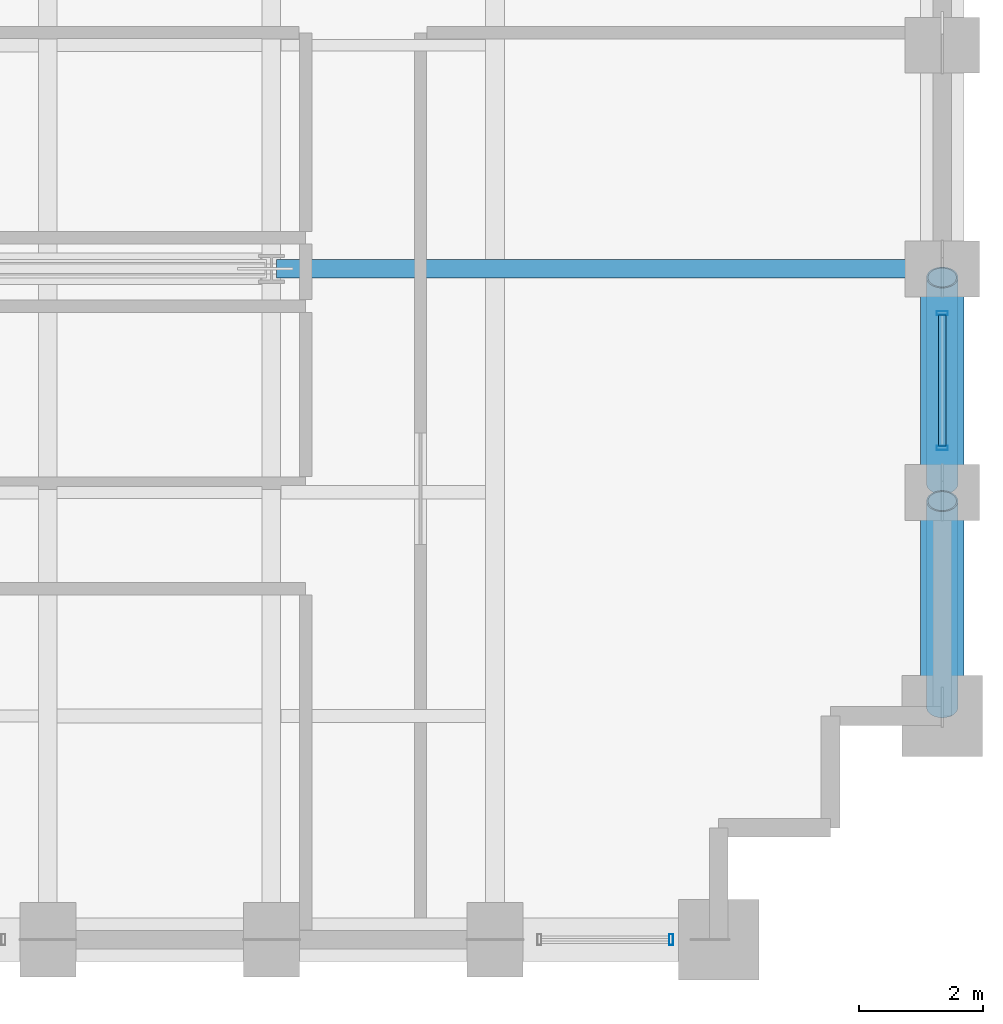
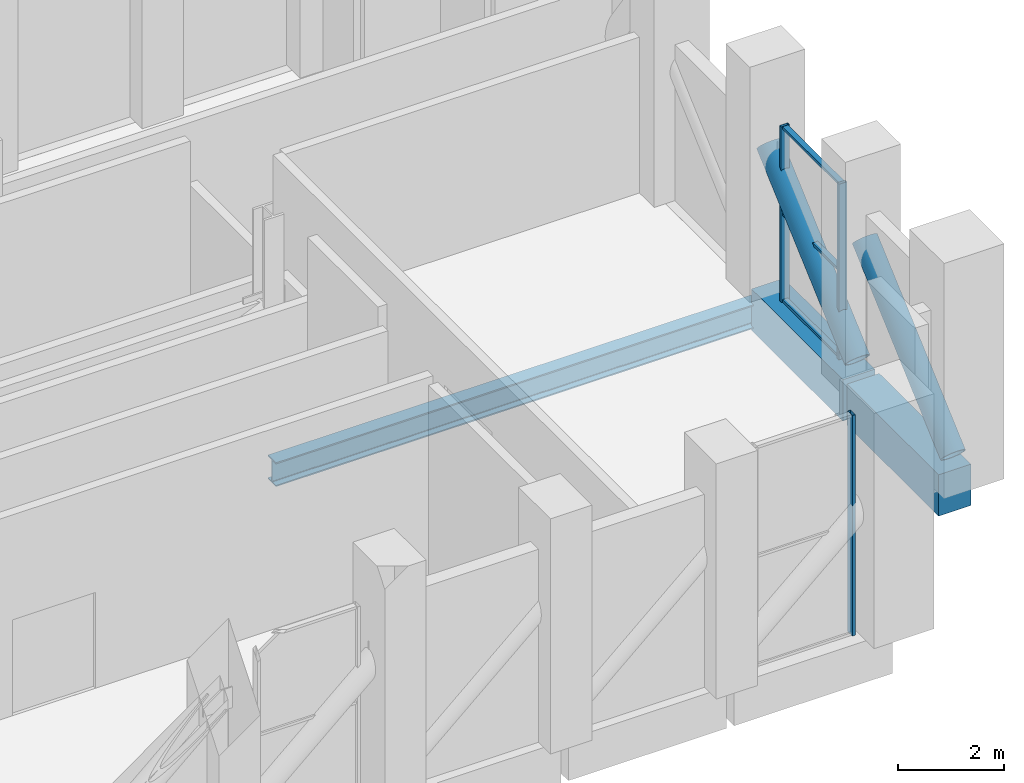
# One storey, part 13 of 27: 8 members, 3 beams, 2 elements without a shape of their own.
"""IFC4 building model written with IfcOpenShell, lengths in metres."""

from ifc_helpers import new_model, si_unit, direction, frame, origin, origin_2d, place, context, subcontext, project, spatial, rectangle, hollow_rectangle, hollow_circle, i_section, extrude, material, layer, layer_set, material_profile, profile_set, type_object, element, aggregate, save


model = new_model("IFC4")

# Units and contexts
model_context = context("Model", 3, precision=1e-05, world=origin(), true_north=direction((0.0, 1.0)))
body_context = subcontext(model_context, "Body", "Model", "MODEL_VIEW")
ifc_project = project(units=[si_unit("LENGTHUNIT", "METRE"), si_unit("AREAUNIT", "SQUARE_METRE"), si_unit("VOLUMEUNIT", "CUBIC_METRE"), si_unit("PLANEANGLEUNIT", "RADIAN"), si_unit("MASSUNIT", "GRAM", prefix="KILO")], contexts=[model_context])

# Site, building, storey
site_placement = place(None, origin())
site = spatial("IfcSite", under=ifc_project, at=site_placement, CompositionType="ELEMENT")
building_placement = place(site_placement, origin())
building = spatial("IfcBuilding", under=site, at=building_placement, Name="Solnavia Interchange Tower", CompositionType="ELEMENT")
storey_placement = place(building_placement, frame((0.0, 0.0, 74.699951171875)))
storey = spatial("IfcBuildingStorey", under=building, at=storey_placement, Name="L18", CompositionType="ELEMENT", Elevation=74.699951171875)

# Beams
ifc_material_1 = material(Name="Steel S460", Category="steel")
ifc_material_profile_1 = material_profile(ifc_material_1, i_section(OverallWidth=0.300048828125, OverallDepth=0.550048828125, WebThickness=0.014892578125, FlangeThickness=0.029052734375, FilletRadius=0.027099609375, at=origin_2d()), Name="HEB 550")
ifc_profile_set_1 = profile_set([ifc_material_profile_1], Name="Steel S460")
beam_type_1 = type_object("IfcBeamType", Name="Beam-Girder-HEB550", PredefinedType="BEAM", material=ifc_profile_set_1)
beam_1_placement = place(storey_placement, frame((50.47998046875, 14.39990234375, -0.594970703125), z_axis=(1.0, 0.0, 0.0), x_axis=(0.0, 1.0, 0.0)))
element("IfcBeam", 1, at=beam_1_placement, inside=storey, type_object=beam_type_1, Name="GRD-L18-ES03 East wing spine girder", PredefinedType="BEAM", context=body_context, shape_type="SweptSolid", body=[
    extrude(i_section(OverallWidth=0.300048828125, OverallDepth=0.550048828125, WebThickness=0.014892578125, FlangeThickness=0.029052734375, FilletRadius=0.027099609375, at=origin_2d()), origin(), (0.0, 0.0, 1.0), 10.64013671875),
])
ifc_material_2 = material(Name="Concrete C50/60", Category="concrete")
ifc_material_profile_2 = material_profile(ifc_material_2, rectangle(XDim=0.699951171875, YDim=0.949951171875, at=origin_2d()), Name="RC 700x950")
ifc_profile_set_2 = profile_set([ifc_material_profile_2], Name="Concrete C50/60")
beam_type_2 = type_object("IfcBeamType", Name="Beam-Spandrel-RC700x950", PredefinedType="SPANDREL", material=ifc_profile_set_2)
beam_2_placement = place(storey_placement, frame((61.199951171875, 7.280029296875, -0.474853515625), z_axis=(0.0, 1.0, 0.0), x_axis=(-1.0, 0.0, 0.0)))
element("IfcBeam", 2, at=beam_2_placement, inside=storey, type_object=beam_type_2, Name="SPB-L18-18 Framed-tube perimeter spandrel beam", PredefinedType="SPANDREL", context=body_context, shape_type="SweptSolid", body=[
    extrude(rectangle(XDim=0.699951171875, YDim=0.949951171875, at=origin_2d()), origin(), (0.0, 0.0, 1.0), 3.43994140625),
])
beam_3_placement = place(storey_placement, frame((61.199951171875, 10.8798828125, -0.474853515625), z_axis=(0.0, 1.0, 0.0), x_axis=(-1.0, 0.0, 0.0)))
element("IfcBeam", 3, at=beam_3_placement, inside=storey, type_object=beam_type_2, Name="SPB-L18-19 Framed-tube perimeter spandrel beam", PredefinedType="SPANDREL", context=body_context, shape_type="SweptSolid", body=[
    extrude(rectangle(XDim=0.699951171875, YDim=0.949951171875, at=origin_2d()), origin(), (0.0, 0.0, 1.0), 3.440185546875),
])

# Curtain wall, member
ifc_material_3 = material(Name="Aluminium Alloy 6063-T6", Category="aluminium")
ifc_layer = layer(ifc_material_3, 0.199951171875)
ifc_layer_set = layer_set([ifc_layer], Name="Aluminium Alloy 6063-T6")
curtain_wall_type = type_object("IfcCurtainWallType", Name="CurtainWall-Louvre-CTW5", PredefinedType="NOTDEFINED", material=ifc_layer_set)
curtain_wall_1_placement = place(storey_placement, origin())
curtain_wall_1 = element("IfcCurtainWall", 4, at=curtain_wall_1_placement, inside=storey, type_object=curtain_wall_type, Name="CTW-L18-L09 CTW-5 curtain wall", PredefinedType="NOTDEFINED")
ifc_material_profile_3 = material_profile(ifc_material_3, hollow_rectangle(XDim=0.06494140625, YDim=0.179931640625, WallThickness=0.00439453125, at=origin_2d()), Name="ALU 180x65x4.5")
ifc_profile_set_3 = profile_set([ifc_material_profile_3], Name="Aluminium Alloy 6063-T6")
member_type_1 = type_object("IfcMemberType", Name="CW-Mullion-CWM-5", PredefinedType="MULLION", material=ifc_profile_set_3)
member_1_placement = place(storey_placement, frame((56.8349609375, 3.60009765625, 0.0), z_axis=(0.0, 0.0, 1.0), x_axis=(1.0, 0.0, 0.0)))
member_1 = element("IfcMember", 5, at=member_1_placement, type_object=member_type_1, Name="CTW-5 mullion 2", PredefinedType="MULLION", context=body_context, shape_type="SweptSolid", body=[
    extrude(hollow_rectangle(XDim=0.06494140625, YDim=0.179931640625, WallThickness=0.00439453125, at=origin_2d()), origin(), (0.0, 0.0, 1.0), 5.06494140625),
])
aggregate(curtain_wall_1, [member_1])

# Curtain wall, members
curtain_wall_2_placement = place(storey_placement, origin())
curtain_wall_2 = element("IfcCurtainWall", 6, at=curtain_wall_2_placement, inside=storey, type_object=curtain_wall_type, Name="CTW-L18-L15 CTW-5 curtain wall", PredefinedType="NOTDEFINED")
member_2_placement = place(storey_placement, frame((61.199951171875, 11.514892578125, 0.0), z_axis=(0.0, 0.0, 1.0), x_axis=(0.0, 1.0, 0.0)))
member_2 = element("IfcMember", 7, at=member_2_placement, type_object=member_type_1, Name="CTW-5 mullion 1", PredefinedType="MULLION", context=body_context, shape_type="SweptSolid", body=[
    extrude(hollow_rectangle(XDim=0.06494140625, YDim=0.179931640625, WallThickness=0.00439453125, at=origin_2d()), origin(), (0.0, 0.0, 1.0), 4.030029296875),
])
member_3_placement = place(storey_placement, frame((61.199951171875, 13.68505859375, 0.0), z_axis=(0.0, 0.0, 1.0), x_axis=(0.0, 1.0, 0.0)))
member_3 = element("IfcMember", 8, at=member_3_placement, type_object=member_type_1, Name="CTW-5 mullion 2", PredefinedType="MULLION", context=body_context, shape_type="SweptSolid", body=[
    extrude(hollow_rectangle(XDim=0.06494140625, YDim=0.179931640625, WallThickness=0.00439453125, at=origin_2d()), origin(), (0.0, 0.0, 1.0), 4.030029296875),
])
ifc_material_profile_4 = material_profile(ifc_material_3, hollow_rectangle(XDim=0.06005859375, YDim=0.1201171875, WallThickness=0.00390625, at=origin_2d()), Name="ALU 120x60x4")
ifc_profile_set_4 = profile_set([ifc_material_profile_4], Name="Aluminium Alloy 6063-T6")
member_type_2 = type_object("IfcMemberType", Name="CW-Transom-CWT-5", PredefinedType="USERDEFINED", material=ifc_profile_set_4)
member_4_placement = place(storey_placement, frame((61.199951171875, 11.547607421875, 0.030029296875), z_axis=(0.0, 1.0, 0.0), x_axis=(0.0, 0.0, 1.0)))
member_4 = element("IfcMember", 9, at=member_4_placement, type_object=member_type_2, Name="CTW-5 transom 1.1", ObjectType="TRANSOM", PredefinedType="USERDEFINED", context=body_context, shape_type="SweptSolid", body=[
    extrude(hollow_rectangle(XDim=0.06005859375, YDim=0.1201171875, WallThickness=0.00390625, at=origin_2d()), origin(), (0.0, 0.0, 1.0), 2.10498046875),
])
member_5_placement = place(storey_placement, frame((61.199951171875, 11.547607421875, 2.01513671875), z_axis=(0.0, 1.0, 0.0), x_axis=(0.0, 0.0, 1.0)))
member_5 = element("IfcMember", 10, at=member_5_placement, type_object=member_type_2, Name="CTW-5 transom 1.2", ObjectType="TRANSOM", PredefinedType="USERDEFINED", context=body_context, shape_type="SweptSolid", body=[
    extrude(hollow_rectangle(XDim=0.06005859375, YDim=0.1201171875, WallThickness=0.00390625, at=origin_2d()), origin(), (0.0, 0.0, 1.0), 2.10498046875),
])
member_6_placement = place(storey_placement, frame((61.199951171875, 11.547607421875, 4.0), z_axis=(0.0, 1.0, 0.0), x_axis=(0.0, 0.0, 1.0)))
member_6 = element("IfcMember", 11, at=member_6_placement, type_object=member_type_2, Name="CTW-5 transom 1.3", ObjectType="TRANSOM", PredefinedType="USERDEFINED", context=body_context, shape_type="SweptSolid", body=[
    extrude(hollow_rectangle(XDim=0.06005859375, YDim=0.1201171875, WallThickness=0.00390625, at=origin_2d()), origin(), (0.0, 0.0, 1.0), 2.10498046875),
])
aggregate(curtain_wall_2, [member_2, member_3, member_4, member_5, member_6])

# Members
ifc_material_profile_5 = material_profile(ifc_material_1, hollow_circle(Radius=0.25390625, WallThickness=0.02490234375, at=origin_2d()), Name="CHS 508x25")
ifc_profile_set_5 = profile_set([ifc_material_profile_5], Name="Steel S460")
member_type_3 = type_object("IfcMemberType", Name="Outrigger-Diag-CHS508", PredefinedType="BRACE", material=ifc_profile_set_5)
member_7_placement = place(storey_placement, frame((61.199951171875, 7.340087890625, 0.300048828125), z_axis=(0.0, 0.747521528567, 0.664237581238), x_axis=(-1.0, 0.0, 0.0)))
element("IfcMember", 12, at=member_7_placement, inside=storey, type_object=member_type_3, Name="OTR-L18-BT08 Belt truss diagonal", PredefinedType="BRACE", context=body_context, shape_type="SweptSolid", body=[
    extrude(hollow_circle(Radius=0.25390625, WallThickness=0.02490234375, at=origin_2d()), origin(), (0.0, 0.0, 1.0), 4.441162109375),
])
member_8_placement = place(storey_placement, frame((61.199951171875, 10.93994140625, 0.300048828125), z_axis=(0.0, 0.747545781752, 0.664210286118), x_axis=(-1.0, 0.0, 0.0)))
element("IfcMember", 13, at=member_8_placement, inside=storey, type_object=member_type_3, Name="OTR-L18-BT09 Belt truss diagonal", PredefinedType="BRACE", context=body_context, shape_type="SweptSolid", body=[
    extrude(hollow_circle(Radius=0.25390625, WallThickness=0.02490234375, at=origin_2d()), origin(), (0.0, 0.0, 1.0), 4.44140625),
])

save(model, "model.ifc")
